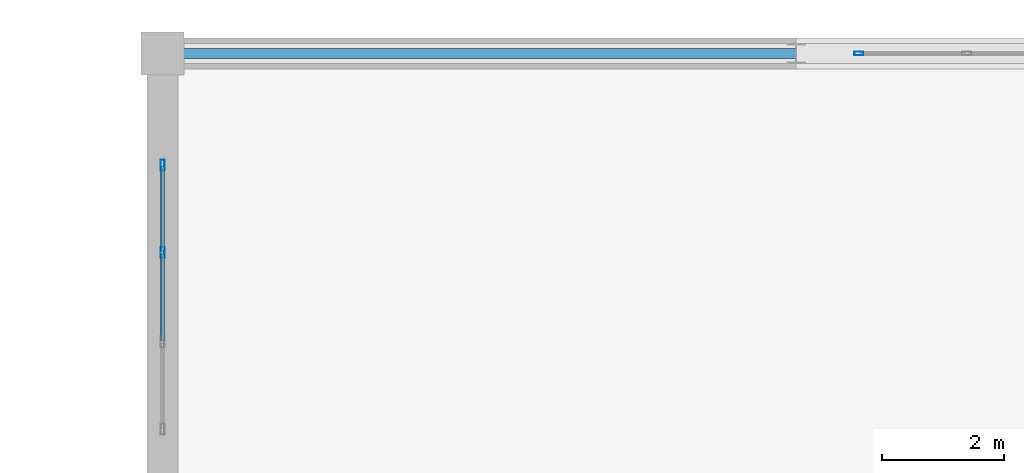
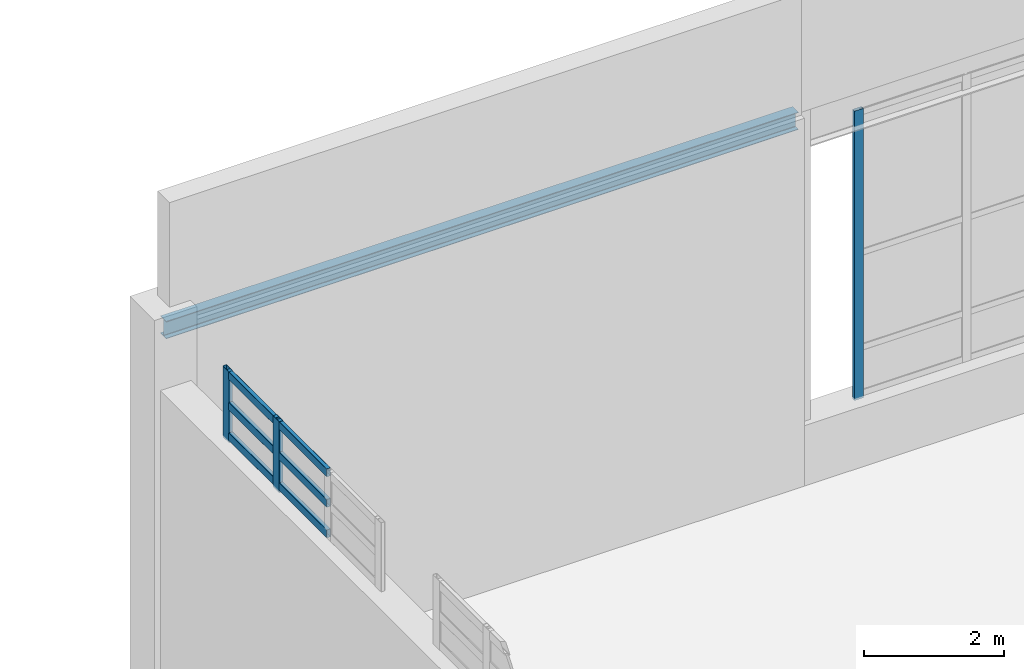
# One storey, part 147 of 197: 9 members, 1 beam, 2 elements without a shape of their own.
"""IFC4 building model written with IfcOpenShell, lengths in metres."""

import ifcopenshell
import ifcopenshell.guid

model = None  # the IFC model being written
_history = None  # IfcOwnerHistory: only IFC2X3 demands one
_inside = {}  # id of a spatial element -> (the spatial element, [elements in it])
_under = {}  # id of a project, library or spatial element -> (it, [spatial elements below it])
_declared = {}  # id of a project -> (the project, [libraries it declares])
_typed = {}  # id of a type object -> (the type object, [elements of that type])
_made_of = {}  # id of a material, layer set ... -> (it, [elements and type objects made of it])


def new_model(schema):
    """Start an empty IFC model of exactly this schema.

    Asked for "IFC4X3", IfcOpenShell would pick the latest addendum, in which some entities
    have other attributes; the version numbers below select the first issue.
    IFC2X3 requires an IfcOwnerHistory on every rooted entity: one is made here for all.
    """
    global model, _history
    if schema == "IFC4X3":
        model = ifcopenshell.file(schema_version=(4, 3, 0, 0))
    else:
        model = ifcopenshell.file(schema=schema)
    _inside.clear()
    _under.clear()
    _declared.clear()
    _typed.clear()
    _made_of.clear()
    _history = None
    if model.schema == "IFC2X3":
        org = make("IfcOrganization", Name="unknown")
        user = make(
            "IfcPersonAndOrganization",
            ThePerson=make("IfcPerson", FamilyName="unknown"),
            TheOrganization=org,
        )
        app = make(
            "IfcApplication",
            ApplicationDeveloper=org,
            Version="unknown",
            ApplicationFullName="unknown",
            ApplicationIdentifier="unknown",
        )
        _history = make(
            "IfcOwnerHistory",
            OwningUser=user,
            OwningApplication=app,
            ChangeAction="ADDED",
            CreationDate=0,
        )
    return model


def make(cls, **values):
    """One entity of the class cls with the attributes given. An attribute that is None is left unset."""
    return model.create_entity(
        cls, **{name: value for name, value in values.items() if value is not None}
    )


def rooted(cls, **values):
    """An entity with a GlobalId (a new one), such as an element, a storey or a relation."""
    return make(cls, GlobalId=ifcopenshell.guid.new(), OwnerHistory=_history, **values)


def si_unit(unit_type, name, prefix=None):
    """IfcSIUnit, for example si_unit("LENGTHUNIT", "METRE", prefix="MILLI")."""
    return make("IfcSIUnit", UnitType=unit_type, Prefix=prefix, Name=name)


def derived_unit(unit_type, elements):
    """IfcDerivedUnit: a product of units, each with its exponent."""
    return make(
        "IfcDerivedUnit",
        Elements=[
            make("IfcDerivedUnitElement", Unit=unit, Exponent=power)
            for unit, power in elements
        ],
        UnitType=unit_type,
    )


def assignment(units):
    """IfcUnitAssignment: the units of a project."""
    return None if units is None else make("IfcUnitAssignment", Units=units)


def point(xyz):
    """IfcCartesianPoint."""
    return None if xyz is None else make("IfcCartesianPoint", Coordinates=xyz)


def direction(xyz):
    """IfcDirection."""
    return None if xyz is None else make("IfcDirection", DirectionRatios=xyz)


def frame(location, z_axis=None, x_axis=None):
    """IfcAxis2Placement3D, a coordinate frame: its origin and axes. An axis left out is left unset."""
    return make(
        "IfcAxis2Placement3D",
        Location=point(location),
        Axis=direction(z_axis),
        RefDirection=direction(x_axis),
    )


def frame_2d(location, x_axis=None):
    """IfcAxis2Placement2D, a coordinate frame in the plane: its origin and x axis."""
    return make(
        "IfcAxis2Placement2D", Location=point(location), RefDirection=direction(x_axis)
    )


def origin():
    """The frame at (0, 0, 0) with its axes left unset."""
    return frame((0.0, 0.0, 0.0))


def origin_2d():
    """The frame at (0, 0) in the plane with its x axis left unset."""
    return frame_2d((0.0, 0.0))


def place(relative_to, where):
    """IfcLocalPlacement: puts the frame where relative to a parent placement (None: the world)."""
    return make(
        "IfcLocalPlacement", PlacementRelTo=relative_to, RelativePlacement=where
    )


def context(
    kind, dimensions, precision=None, world=None, true_north=None, identifier=None
):
    """IfcGeometricRepresentationContext, for example the 3D "Model" context."""
    return make(
        "IfcGeometricRepresentationContext",
        ContextIdentifier=identifier,
        ContextType=kind,
        CoordinateSpaceDimension=dimensions,
        Precision=precision,
        WorldCoordinateSystem=world,
        TrueNorth=true_north,
    )


def subcontext(parent, identifier, kind, view, scale=None):
    """IfcGeometricRepresentationSubContext, for example "Body" below "Model"."""
    return make(
        "IfcGeometricRepresentationSubContext",
        ContextIdentifier=identifier,
        ContextType=kind,
        ParentContext=parent,
        TargetScale=scale,
        TargetView=view,
    )


def project(units=None, contexts=None):
    """IfcProject with its units and contexts."""
    return rooted(
        "IfcProject",
        Name="project",
        RepresentationContexts=contexts,
        UnitsInContext=assignment(units),
    )


def spatial(cls, under=None, at=None, **own):
    """A site, building, storey or space (cls), placed at a placement, below another one or the project."""
    s = rooted(cls, ObjectPlacement=at, **own)
    if under is not None:
        _under.setdefault(under.id(), (under, []))[1].append(s)
    return s


def profile(cls, at=None, kind="AREA", **sizes):
    """A parametric profile (cls). Its sizes go by their IFC names, for example OverallWidth=200.0."""
    return make(cls, ProfileType=kind, Position=at, **sizes)


def hollow_rectangle(**sizes):
    """IfcRectangleHollowProfileDef."""
    return profile("IfcRectangleHollowProfileDef", **sizes)


def i_section(**sizes):
    """IfcIShapeProfileDef."""
    return profile("IfcIShapeProfileDef", **sizes)


def extrude(swept, where, along, depth):
    """IfcExtrudedAreaSolid: the profile swept, set in the frame where, extruded along a direction by depth."""
    return make(
        "IfcExtrudedAreaSolid",
        SweptArea=swept,
        Position=where,
        ExtrudedDirection=direction(along),
        Depth=depth,
    )


def shape(context_of_items, identifier, shape_type, items):
    """IfcShapeRepresentation: the items that make up one representation, for example the "Body"."""
    return make(
        "IfcShapeRepresentation",
        ContextOfItems=context_of_items,
        RepresentationIdentifier=identifier,
        RepresentationType=shape_type,
        Items=items,
    )


def material(Name=None, Category=None):
    """IfcMaterial."""
    return make("IfcMaterial", Name=Name, Category=Category)


def layer(
    of_material, thickness, ventilated=None, Name=None, Category=None, Priority=None
):
    """IfcMaterialLayer: one layer of a wall or slab, of a material (None: an air gap)."""
    return make(
        "IfcMaterialLayer",
        Material=of_material,
        LayerThickness=thickness,
        IsVentilated=ventilated,
        Name=Name,
        Category=Category,
        Priority=Priority,
    )


def layer_set(layers, Name=None):
    """IfcMaterialLayerSet."""
    return make("IfcMaterialLayerSet", MaterialLayers=layers, LayerSetName=Name)


def material_profile(
    of_material, cross_section, Name=None, Category=None, Priority=None
):
    """IfcMaterialProfile: a cross section and its material."""
    return make(
        "IfcMaterialProfile",
        Name=Name,
        Material=of_material,
        Profile=cross_section,
        Priority=Priority,
        Category=Category,
    )


def profile_set(profiles, Name=None, composite=None):
    """IfcMaterialProfileSet."""
    return make(
        "IfcMaterialProfileSet",
        Name=Name,
        MaterialProfiles=profiles,
        CompositeProfile=composite,
    )


def made_of(thing, what):
    """Note that an element or type object is made of a material, layer set ...; save() writes the relation."""
    if what is not None:
        _made_of.setdefault(what.id(), (what, []))[1].append(thing)
    return thing


def type_object(cls, material=None, **own):
    """A type object (cls), such as IfcWallType, which elements share."""
    return made_of(rooted(cls, **own), material)


def element(
    cls,
    number,
    at=None,
    inside=None,
    cuts=None,
    type_object=None,
    material=None,
    context=None,
    identifier="Body",
    shape_type=None,
    held_by="IfcProductDefinitionShape",
    body=None,
    shapes=None,
    **own,
):
    """One element of the class cls, such as IfcWall. Its Tag is "e" and its number.

    at: its placement. inside: the storey or other place that contains it. cuts: it is an
    opening in that element (IfcRelVoidsElement). A single representation is given by context,
    identifier, shape_type and body (its items); several are given by shapes. held_by: the class
    of the entity that holds the representations. save() writes the other relations.
    """
    e = rooted(cls, Tag="e%d" % number, ObjectPlacement=at, **own)
    if body is not None:
        shapes = [shape(context, identifier, shape_type, body)]
    if shapes is not None:
        e.Representation = make(held_by, Representations=shapes)
    if inside is not None:
        _inside.setdefault(inside.id(), (inside, []))[1].append(e)
    if cuts is not None:
        rooted(
            "IfcRelVoidsElement", RelatingBuildingElement=cuts, RelatedOpeningElement=e
        )
    if type_object is not None:
        _typed.setdefault(type_object.id(), (type_object, []))[1].append(e)
    return made_of(e, material)


def aggregate(whole, parts):
    """IfcRelAggregates: a whole, such as a stair, and the parts it consists of."""
    return rooted("IfcRelAggregates", RelatingObject=whole, RelatedObjects=parts)


def save(model, path):
    """Write the relations noted so far, then the file.

    IfcRelAggregates (storeys below a building ...), IfcRelContainedInSpatialStructure (elements
    in a storey), IfcRelDefinesByType, IfcRelAssociatesMaterial and IfcRelDeclares: one each for
    every whole, place, type object, material and project.
    """
    for whole, parts in _under.values():
        aggregate(whole, parts)
    for where, things in _inside.values():
        rooted(
            "IfcRelContainedInSpatialStructure",
            RelatedElements=things,
            RelatingStructure=where,
        )
    for kind, things in _typed.values():
        rooted("IfcRelDefinesByType", RelatedObjects=things, RelatingType=kind)
    for what, things in _made_of.values():
        rooted("IfcRelAssociatesMaterial", RelatedObjects=things, RelatingMaterial=what)
    for by, libraries in _declared.values():
        rooted("IfcRelDeclares", RelatingContext=by, RelatedDefinitions=libraries)
    model.write(path)


model = new_model("IFC4")

# Units and contexts
model_context = context("Model", 3, precision=1e-05, world=origin(), true_north=direction((0.0, 1.0)))
body_context = subcontext(model_context, "Body", "Model", "MODEL_VIEW")
ifc_project = project(units=[si_unit("LENGTHUNIT", "METRE"), si_unit("AREAUNIT", "SQUARE_METRE"), si_unit("VOLUMEUNIT", "CUBIC_METRE"), si_unit("PLANEANGLEUNIT", "RADIAN"), si_unit("MASSUNIT", "GRAM", prefix="KILO"), derived_unit("THERMALTRANSMITTANCEUNIT", [(si_unit("POWERUNIT", "WATT"), 1), (si_unit("LENGTHUNIT", "METRE"), -2), (si_unit("THERMODYNAMICTEMPERATUREUNIT", "KELVIN"), -1)])], contexts=[model_context])

# Site, building, storey
site_placement = place(None, origin())
site = spatial("IfcSite", under=ifc_project, at=site_placement, CompositionType="ELEMENT")
building_placement = place(site_placement, origin())
building = spatial("IfcBuilding", under=site, at=building_placement, Name="Almenara Railside Exhibition Hall", CompositionType="ELEMENT")
storey_placement = place(building_placement, frame((0.0, 0.0, 5.39990234375)))
storey = spatial("IfcBuildingStorey", under=building, at=storey_placement, Name="L01", CompositionType="ELEMENT", Elevation=5.39990234375)

# Curtain wall, member
ifc_material_1 = material(Name="Bronze-anodised aluminium and low-E double glazing", Category="aluminium")
ifc_layer_1 = layer(ifc_material_1, 0.179931640625, Name="Bronze-anodised aluminium and low-E double glazing")
ifc_layer_set_1 = layer_set([ifc_layer_1], Name="Bronze-anodised aluminium and low-E double glazing")
curtain_wall_type_1 = type_object("IfcCurtainWallType", Name="Scroll Gable Standard Curtain Wall 3600x5000", PredefinedType="NOTDEFINED", material=ifc_layer_set_1)
curtain_wall_1_placement = place(storey_placement, origin())
curtain_wall_1 = element("IfcCurtainWall", 1, at=curtain_wall_1_placement, inside=storey, type_object=curtain_wall_type_1, Name="Curtain wall CW-G2-086", PredefinedType="NOTDEFINED")
ifc_material_2 = material(Name="Bronze-anodised aluminium", Category="aluminium")
ifc_material_profile_1 = material_profile(ifc_material_2, hollow_rectangle(XDim=0.06005859375, YDim=0.14990234375, WallThickness=0.00341796875, InnerFilletRadius=0.00341796875, OuterFilletRadius=0.007080078125, at=origin_2d()), Name="ALU-MUL 60x150x3.5")
ifc_profile_set_1 = profile_set([ifc_material_profile_1], Name="Bronze-anodised aluminium")
member_type_1 = type_object("IfcMemberType", Name="Curtain Wall Mullion 60x150x3.5", PredefinedType="MULLION", material=ifc_profile_set_1)
member_1_placement = place(storey_placement, frame((149.429931640625, 132.0, 1.01513671875), z_axis=(0.0, 0.0, 1.0), x_axis=(0.0, 1.0, 0.0)))
member_1 = element("IfcMember", 2, at=member_1_placement, type_object=member_type_1, Name="CW-G2-086 mullion 1", PredefinedType="MULLION", context=body_context, shape_type="SweptSolid", body=[
    extrude(hollow_rectangle(XDim=0.06005859375, YDim=0.14990234375, WallThickness=0.00341796875, InnerFilletRadius=0.00341796875, OuterFilletRadius=0.007080078125, at=origin_2d()), origin(), (0.0, 0.0, 1.0), 5.034912109375),
])
aggregate(curtain_wall_1, [member_1])

# Curtain wall, members
ifc_layer_2 = layer(ifc_material_1, 0.179931640625, Name="Bronze-anodised aluminium and low-E double glazing")
ifc_layer_set_2 = layer_set([ifc_layer_2], Name="Bronze-anodised aluminium and low-E double glazing")
curtain_wall_type_2 = type_object("IfcCurtainWallType", Name="East Hall Clerestory Curtain Wall 4400x2300", PredefinedType="NOTDEFINED", material=ifc_layer_set_2)
curtain_wall_2_placement = place(storey_placement, origin())
curtain_wall_2 = element("IfcCurtainWall", 3, at=curtain_wall_2_placement, inside=storey, type_object=curtain_wall_type_2, Name="Curtain wall CW-CL3-076", PredefinedType="NOTDEFINED")
ifc_material_profile_2 = material_profile(ifc_material_2, hollow_rectangle(XDim=0.06494140625, YDim=0.179931640625, WallThickness=0.00390625, InnerFilletRadius=0.00390625, OuterFilletRadius=0.008056640625, at=origin_2d()), Name="ALU-MUL 65x180x4")
ifc_profile_set_2 = profile_set([ifc_material_profile_2], Name="Bronze-anodised aluminium")
member_type_2 = type_object("IfcMemberType", Name="Curtain Wall Mullion 65x180x4", PredefinedType="MULLION", material=ifc_profile_set_2)
member_2_placement = place(storey_placement, frame((138.0, 128.7333984375, 5.4150390625), z_axis=(0.0, 0.0, 1.0), x_axis=(-1.0, 0.0, 0.0)))
member_2 = element("IfcMember", 4, at=member_2_placement, type_object=member_type_2, Name="CW-CL3-076 mullion 3", PredefinedType="MULLION", context=body_context, shape_type="SweptSolid", body=[
    extrude(hollow_rectangle(XDim=0.06494140625, YDim=0.179931640625, WallThickness=0.00390625, InnerFilletRadius=0.00390625, OuterFilletRadius=0.008056640625, at=origin_2d()), origin(), (0.0, 0.0, 1.0), 1.235107421875),
])
member_3_placement = place(storey_placement, frame((138.0, 130.16748046875, 5.4150390625), z_axis=(0.0, 0.0, 1.0), x_axis=(-1.0, 0.0, 0.0)))
member_3 = element("IfcMember", 5, at=member_3_placement, type_object=member_type_2, Name="CW-CL3-076 mullion 4", PredefinedType="MULLION", context=body_context, shape_type="SweptSolid", body=[
    extrude(hollow_rectangle(XDim=0.06494140625, YDim=0.179931640625, WallThickness=0.00390625, InnerFilletRadius=0.00390625, OuterFilletRadius=0.008056640625, at=origin_2d()), origin(), (0.0, 0.0, 1.0), 1.235107421875),
])
ifc_material_profile_3 = material_profile(ifc_material_2, hollow_rectangle(XDim=0.06494140625, YDim=0.139892578125, WallThickness=0.00341796875, InnerFilletRadius=0.00341796875, OuterFilletRadius=0.007080078125, at=origin_2d()), Name="ALU-TRN 65x140x3.5")
ifc_profile_set_3 = profile_set([ifc_material_profile_3], Name="Bronze-anodised aluminium")
member_type_3 = type_object("IfcMemberType", Name="Curtain Wall Transom 65x140x3.5", PredefinedType="USERDEFINED", material=ifc_profile_set_3)
member_4_placement = place(storey_placement, frame((138.0, 127.291259765625, 5.52001953125), z_axis=(0.0, 1.0, 0.0), x_axis=(-1.0, 0.0, 0.0)))
member_4 = element("IfcMember", 6, at=member_4_placement, type_object=member_type_3, Name="CW-CL3-076 transom 2.1", ObjectType="TRANSOM", PredefinedType="USERDEFINED", context=body_context, shape_type="SweptSolid", body=[
    extrude(hollow_rectangle(XDim=0.06494140625, YDim=0.139892578125, WallThickness=0.00341796875, InnerFilletRadius=0.00341796875, OuterFilletRadius=0.007080078125, at=origin_2d()), origin(), (0.0, 0.0, 1.0), 1.41748046875),
])
member_5_placement = place(storey_placement, frame((138.0, 127.291259765625, 6.050048828125), z_axis=(0.0, 1.0, 0.0), x_axis=(-1.0, 0.0, 0.0)))
member_5 = element("IfcMember", 7, at=member_5_placement, type_object=member_type_3, Name="CW-CL3-076 transom 2.2", ObjectType="TRANSOM", PredefinedType="USERDEFINED", context=body_context, shape_type="SweptSolid", body=[
    extrude(hollow_rectangle(XDim=0.06494140625, YDim=0.139892578125, WallThickness=0.00341796875, InnerFilletRadius=0.00341796875, OuterFilletRadius=0.007080078125, at=origin_2d()), origin(), (0.0, 0.0, 1.0), 1.41748046875),
])
member_6_placement = place(storey_placement, frame((138.0, 127.291259765625, 6.580078125), z_axis=(0.0, 1.0, 0.0), x_axis=(-1.0, 0.0, 0.0)))
member_6 = element("IfcMember", 8, at=member_6_placement, type_object=member_type_3, Name="CW-CL3-076 transom 2.3", ObjectType="TRANSOM", PredefinedType="USERDEFINED", context=body_context, shape_type="SweptSolid", body=[
    extrude(hollow_rectangle(XDim=0.06494140625, YDim=0.139892578125, WallThickness=0.00341796875, InnerFilletRadius=0.00341796875, OuterFilletRadius=0.007080078125, at=origin_2d()), origin(), (0.0, 0.0, 1.0), 1.41748046875),
])
member_7_placement = place(storey_placement, frame((138.0, 128.7578125, 5.52001953125), z_axis=(0.0, 1.0, 0.0), x_axis=(-1.0, 0.0, 0.0)))
member_7 = element("IfcMember", 9, at=member_7_placement, type_object=member_type_3, Name="CW-CL3-076 transom 3.1", ObjectType="TRANSOM", PredefinedType="USERDEFINED", context=body_context, shape_type="SweptSolid", body=[
    extrude(hollow_rectangle(XDim=0.06494140625, YDim=0.139892578125, WallThickness=0.00341796875, InnerFilletRadius=0.00341796875, OuterFilletRadius=0.007080078125, at=origin_2d()), origin(), (0.0, 0.0, 1.0), 1.38525390625),
])
member_8_placement = place(storey_placement, frame((138.0, 128.7578125, 6.050048828125), z_axis=(0.0, 1.0, 0.0), x_axis=(-1.0, 0.0, 0.0)))
member_8 = element("IfcMember", 10, at=member_8_placement, type_object=member_type_3, Name="CW-CL3-076 transom 3.2", ObjectType="TRANSOM", PredefinedType="USERDEFINED", context=body_context, shape_type="SweptSolid", body=[
    extrude(hollow_rectangle(XDim=0.06494140625, YDim=0.139892578125, WallThickness=0.00341796875, InnerFilletRadius=0.00341796875, OuterFilletRadius=0.007080078125, at=origin_2d()), origin(), (0.0, 0.0, 1.0), 1.38525390625),
])
member_9_placement = place(storey_placement, frame((138.0, 128.7578125, 6.580078125), z_axis=(0.0, 1.0, 0.0), x_axis=(-1.0, 0.0, 0.0)))
member_9 = element("IfcMember", 11, at=member_9_placement, type_object=member_type_3, Name="CW-CL3-076 transom 3.3", ObjectType="TRANSOM", PredefinedType="USERDEFINED", context=body_context, shape_type="SweptSolid", body=[
    extrude(hollow_rectangle(XDim=0.06494140625, YDim=0.139892578125, WallThickness=0.00341796875, InnerFilletRadius=0.00341796875, OuterFilletRadius=0.007080078125, at=origin_2d()), origin(), (0.0, 0.0, 1.0), 1.38525390625),
])
aggregate(curtain_wall_2, [member_2, member_3, member_4, member_5, member_6, member_7, member_8, member_9])

# Beam
ifc_material_3 = material(Name="Structural steel S355JR", Category="steel")
ifc_material_profile_4 = material_profile(ifc_material_3, i_section(OverallWidth=0.1650390625, OverallDepth=0.303466796875, WebThickness=0.006103515625, FlangeThickness=0.01025390625, FilletRadius=0.0087890625, at=origin_2d()), Name="UB 305x165x40")
ifc_profile_set_4 = profile_set([ifc_material_profile_4], Name="Structural steel S355JR")
beam_type = type_object("IfcBeamType", Name="Steel Canopy Edge Spandrel UB 305x165x40 S355JR", PredefinedType="SPANDREL", material=ifc_profile_set_4)
beam_placement = place(storey_placement, frame((138.0, 132.0, 6.248291015625), z_axis=(1.0, 0.0, 0.0), x_axis=(0.0, 1.0, 0.0)))
element("IfcBeam", 12, at=beam_placement, inside=storey, type_object=beam_type, Name="BM-CRNLNT-V2G1-132", PredefinedType="SPANDREL", context=body_context, shape_type="SweptSolid", body=[
    extrude(i_section(OverallWidth=0.1650390625, OverallDepth=0.303466796875, WebThickness=0.006103515625, FlangeThickness=0.01025390625, FilletRadius=0.0087890625, at=origin_2d()), origin(), (0.0, 0.0, 1.0), 10.39990234375),
])

save(model, "model.ifc")
